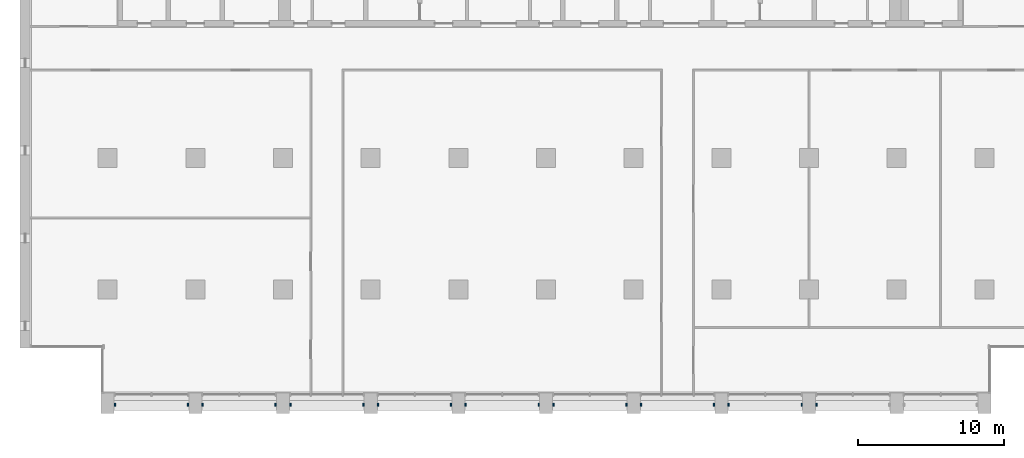
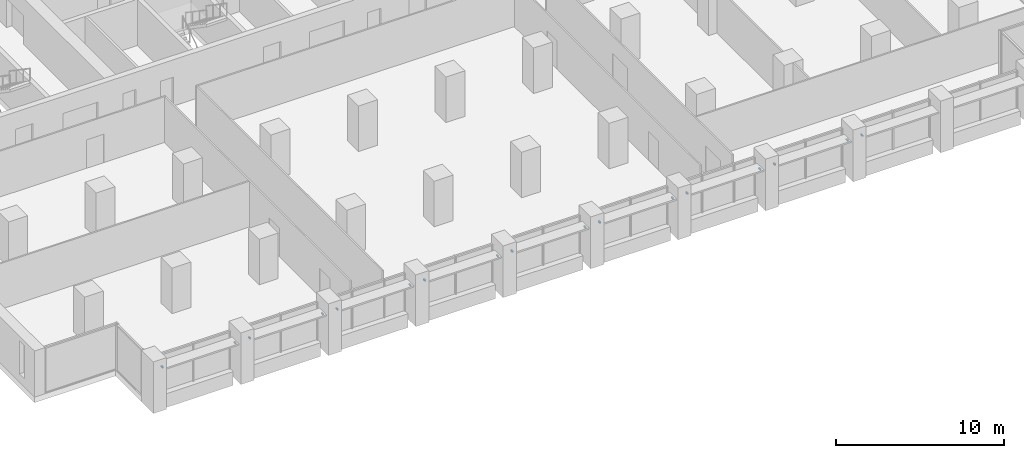
# One storey, part 13 of 15: 17 discrete accessories.
"""IFC4 building model written with IfcOpenShell, lengths in metres."""

from ifc_helpers import new_model, si_unit, direction, frame, origin, origin_2d, place, context, subcontext, project, spatial, rectangle, extrude, element, save


model = new_model("IFC4")

# Units and contexts
model_context = context("Model", 3, precision=1e-05, world=origin(), true_north=direction((0.0, 1.0)))
body_context = subcontext(model_context, "Body", "Model", "MODEL_VIEW")
ifc_project = project(units=[si_unit("LENGTHUNIT", "METRE"), si_unit("AREAUNIT", "SQUARE_METRE"), si_unit("VOLUMEUNIT", "CUBIC_METRE"), si_unit("PLANEANGLEUNIT", "RADIAN"), si_unit("MASSUNIT", "GRAM", prefix="KILO")], contexts=[model_context])

# Site, building, storey
site_placement = place(None, origin())
site = spatial("IfcSite", under=ifc_project, at=site_placement, CompositionType="ELEMENT")
building_placement = place(site_placement, origin())
building = spatial("IfcBuilding", under=site, at=building_placement, Name="Calvaro Tower", CompositionType="ELEMENT")
storey_placement = place(building_placement, frame((0.0, 0.0, 128.75)))
storey = spatial("IfcBuildingStorey", under=building, at=storey_placement, Name="L32", CompositionType="ELEMENT", Elevation=128.75)

# Discrete accessories
for number, where, z_axis, x_axis, name in (
    (1, (6.5, 2.10009765625, 2.25), (0.0, 0.0, 1.0), (1.0, 0.0, 0.0), "Brise-soleil bracket"),
    (2, (11.5, 2.10009765625, 2.25), (0.0, 0.0, 1.0), (1.0, 0.0, 0.0), "Brise-soleil bracket"),
    (3, (12.5, 2.10009765625, 2.25), (0.0, 0.0, 1.0), (1.0, 0.0, 0.0), "Brise-soleil bracket"),
    (4, (17.5, 2.10009765625, 2.25), (0.0, 0.0, 1.0), (1.0, 0.0, 0.0), "Brise-soleil bracket"),
    (5, (18.5, 2.10009765625, 2.25), (0.0, 0.0, 1.0), (1.0, 0.0, 0.0), "Brise-soleil bracket"),
    (6, (23.5, 2.10009765625, 2.25), (0.0, 0.0, 1.0), (1.0, 0.0, 0.0), "Brise-soleil bracket"),
    (7, (24.5, 2.10009765625, 2.25), (0.0, 0.0, 1.0), (1.0, 0.0, 0.0), "Brise-soleil bracket"),
    (8, (29.5, 2.10009765625, 2.25), (0.0, 0.0, 1.0), (1.0, 0.0, 0.0), "Brise-soleil bracket"),
    (9, (30.5, 2.10009765625, 2.25), (0.0, 0.0, 1.0), (1.0, 0.0, 0.0), "Brise-soleil bracket"),
    (10, (35.5, 2.10009765625, 2.25), (0.0, 0.0, 1.0), (1.0, 0.0, 0.0), "Brise-soleil bracket"),
    (11, (36.5, 2.10009765625, 2.25), (0.0, 0.0, 1.0), (1.0, 0.0, 0.0), "Brise-soleil bracket"),
    (12, (41.5, 2.10009765625, 2.25), (0.0, 0.0, 1.0), (1.0, 0.0, 0.0), "Brise-soleil bracket"),
    (13, (42.5, 2.10009765625, 2.25), (0.0, 0.0, 1.0), (1.0, 0.0, 0.0), "Brise-soleil bracket"),
    (14, (47.5, 2.10009765625, 2.25), (0.0, 0.0, 1.0), (1.0, 0.0, 0.0), "Brise-soleil bracket"),
    (15, (48.5, 2.10009765625, 2.25), (0.0, 0.0, 1.0), (1.0, 0.0, 0.0), "Brise-soleil bracket"),
    (16, (53.5, 2.10009765625, 2.25), (0.0, 0.0, 1.0), (1.0, 0.0, 0.0), "Brise-soleil bracket"),
    (17, (54.5, 2.10009765625, 2.25), (0.0, 0.0, 1.0), (1.0, 0.0, 0.0), "Brise-soleil bracket"),
):
    element("IfcDiscreteAccessory", number, at=place(storey_placement, frame(where, z_axis=z_axis, x_axis=x_axis)), inside=storey, Name=name, PredefinedType="BRACKET", context=body_context, shape_type="SweptSolid", body=[
        extrude(rectangle(XDim=0.10009765625, YDim=0.199951171875, at=origin_2d()), origin(), (0.0, 0.0, 1.0), 0.10009765625),
    ])

save(model, "model.ifc")
